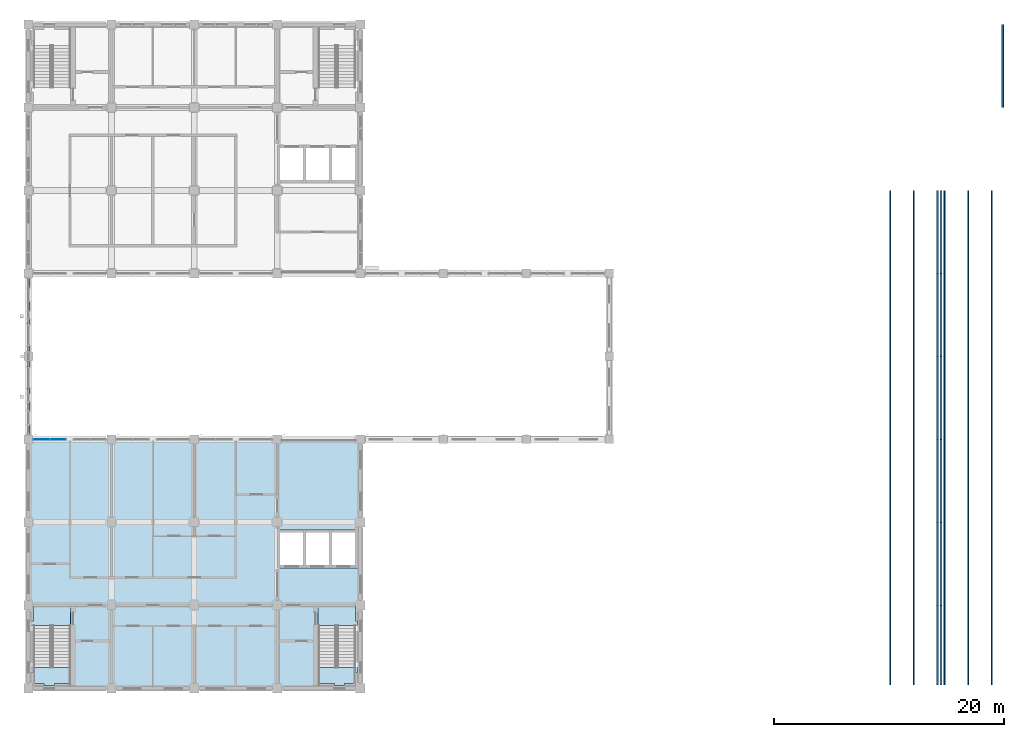
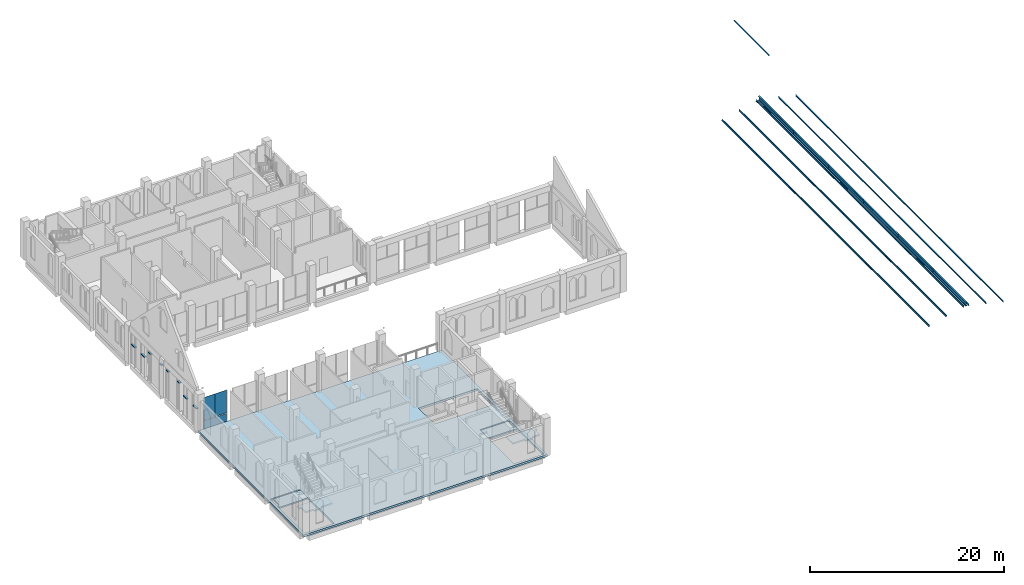
# One storey, part 15 of 31: 51 members, 5 slabs, 3 plates, 7 elements without a shape of their own.
"""IFC4 building model written with IfcOpenShell, lengths in metres."""

from ifc_helpers import new_model, si_unit, direction, frame, origin, origin_2d, place, context, subcontext, project, spatial, polyline, rectangle, hollow_rectangle, i_section, outline, extrude, material, layer, layer_set, material_profile, profile_set, type_object, element, aggregate, save


model = new_model("IFC4")

# Units and contexts
model_context = context("Model", 3, precision=1e-05, world=origin(), true_north=direction((0.0, 1.0)))
body_context = subcontext(model_context, "Body", "Model", "MODEL_VIEW")
ifc_project = project(units=[si_unit("LENGTHUNIT", "METRE"), si_unit("AREAUNIT", "SQUARE_METRE"), si_unit("VOLUMEUNIT", "CUBIC_METRE"), si_unit("PLANEANGLEUNIT", "RADIAN"), si_unit("MASSUNIT", "GRAM", prefix="KILO")], contexts=[model_context])

# Site, building, storey
site_placement = place(None, origin())
site = spatial("IfcSite", under=ifc_project, at=site_placement, CompositionType="ELEMENT")
building_placement = place(site_placement, origin())
building = spatial("IfcBuilding", under=site, at=building_placement, Name="Silangan Lancet Faculty of Sciences", CompositionType="ELEMENT")
storey_placement = place(building_placement, frame((0.0, 0.0, 36.0)))
storey = spatial("IfcBuildingStorey", under=building, at=storey_placement, Name="L07", CompositionType="ELEMENT", Elevation=36.0)

# Curtain wall, members
ifc_material_1 = material(Name="Aluminium framed curtain wall with insulated glass", Category="aluminium")
curtain_wall_type_1 = type_object("IfcCurtainWallType", Name="CW3 West stepped lancet window", PredefinedType="NOTDEFINED", material=ifc_material_1)
curtain_wall_1_placement = place(storey_placement, origin())
curtain_wall_1 = element("IfcCurtainWall", 1, at=curtain_wall_1_placement, inside=storey, type_object=curtain_wall_type_1, Name="CW3 West window L07 bay 1", PredefinedType="NOTDEFINED")
ifc_material_2 = material(Name="Aluminium 6063-T6 extrusion", Category="aluminium")
ifc_material_profile_1 = material_profile(ifc_material_2, hollow_rectangle(XDim=0.25, YDim=0.10009765625, WallThickness=0.0048828125, at=origin_2d()), Name="AL BOX 250x100x5")
ifc_profile_set_1 = profile_set([ifc_material_profile_1], Name="Aluminium 6063-T6 extrusion")
member_type_1 = type_object("IfcMemberType", Name="CT3 Transom 250x100", PredefinedType="USERDEFINED", material=ifc_profile_set_1)
member_1_placement = place(storey_placement, frame((0.0, 22.074951171875, 2.449951171875), z_axis=(0.0, 1.0, 0.0), x_axis=(-1.0, 0.0, 0.0)))
member_1 = element("IfcMember", 2, at=member_1_placement, type_object=member_type_1, Name="CW3 West window L07 bay 1 transom 1", ObjectType="TRANSOM", PredefinedType="USERDEFINED", context=body_context, shape_type="SweptSolid", body=[
    extrude(hollow_rectangle(XDim=0.25, YDim=0.10009765625, WallThickness=0.0048828125, at=origin_2d()), origin(), (0.0, 0.0, 1.0), 0.75),
])
member_2_placement = place(storey_placement, frame((0.0, 24.074951171875, 2.449951171875), z_axis=(0.0, 1.0, 0.0), x_axis=(-1.0, 0.0, 0.0)))
member_2 = element("IfcMember", 3, at=member_2_placement, type_object=member_type_1, Name="CW3 West window L07 bay 1 transom 2", ObjectType="TRANSOM", PredefinedType="USERDEFINED", context=body_context, shape_type="SweptSolid", body=[
    extrude(hollow_rectangle(XDim=0.25, YDim=0.10009765625, WallThickness=0.0048828125, at=origin_2d()), origin(), (0.0, 0.0, 1.0), 0.75),
])
aggregate(curtain_wall_1, [member_1, member_2])

ifc_material_3 = material(Name="Aluminium framed curtain wall with insulated glass", Category="aluminium")
curtain_wall_type_2 = type_object("IfcCurtainWallType", Name="CW6 West window middle bays", PredefinedType="NOTDEFINED", material=ifc_material_3)
curtain_wall_2_placement = place(storey_placement, origin())
curtain_wall_2 = element("IfcCurtainWall", 4, at=curtain_wall_2_placement, inside=storey, type_object=curtain_wall_type_2, Name="CW6 West window L07 bay 2", PredefinedType="NOTDEFINED")
member_3_placement = place(storey_placement, frame((0.0, 25.574951171875, 3.550048828125), z_axis=(0.0, 1.0, 0.0), x_axis=(-1.0, 0.0, 0.0)))
member_3 = element("IfcMember", 5, at=member_3_placement, type_object=member_type_1, Name="CW6 West window L07 bay 2 transom 1", ObjectType="TRANSOM", PredefinedType="USERDEFINED", context=body_context, shape_type="SweptSolid", body=[
    extrude(hollow_rectangle(XDim=0.25, YDim=0.10009765625, WallThickness=0.0048828125, at=origin_2d()), origin(), (0.0, 0.0, 1.0), 0.449951171875),
])
member_4_placement = place(storey_placement, frame((0.0, 27.89990234375, 3.550048828125), z_axis=(0.0, 1.0, 0.0), x_axis=(-1.0, 0.0, 0.0)))
member_4 = element("IfcMember", 6, at=member_4_placement, type_object=member_type_1, Name="CW6 West window L07 bay 2 transom 2", ObjectType="TRANSOM", PredefinedType="USERDEFINED", context=body_context, shape_type="SweptSolid", body=[
    extrude(hollow_rectangle(XDim=0.25, YDim=0.10009765625, WallThickness=0.0048828125, at=origin_2d()), origin(), (0.0, 0.0, 1.0), 0.4501953125),
])
aggregate(curtain_wall_2, [member_3, member_4])

curtain_wall_3_placement = place(storey_placement, origin())
curtain_wall_3 = element("IfcCurtainWall", 7, at=curtain_wall_3_placement, inside=storey, type_object=curtain_wall_type_2, Name="CW6 West window L07 bay 3", PredefinedType="NOTDEFINED")
member_5_placement = place(storey_placement, frame((0.0, 29.25, 3.550048828125), z_axis=(0.0, 1.0, 0.0), x_axis=(-1.0, 0.0, 0.0)))
member_5 = element("IfcMember", 8, at=member_5_placement, type_object=member_type_1, Name="CW6 West window L07 bay 3 transom 1", ObjectType="TRANSOM", PredefinedType="USERDEFINED", context=body_context, shape_type="SweptSolid", body=[
    extrude(hollow_rectangle(XDim=0.25, YDim=0.10009765625, WallThickness=0.0048828125, at=origin_2d()), origin(), (0.0, 0.0, 1.0), 0.449951171875),
])
member_6_placement = place(storey_placement, frame((0.0, 31.574951171875, 3.550048828125), z_axis=(0.0, 1.0, 0.0), x_axis=(-1.0, 0.0, 0.0)))
member_6 = element("IfcMember", 9, at=member_6_placement, type_object=member_type_1, Name="CW6 West window L07 bay 3 transom 2", ObjectType="TRANSOM", PredefinedType="USERDEFINED", context=body_context, shape_type="SweptSolid", body=[
    extrude(hollow_rectangle(XDim=0.25, YDim=0.10009765625, WallThickness=0.0048828125, at=origin_2d()), origin(), (0.0, 0.0, 1.0), 0.449951171875),
])
aggregate(curtain_wall_3, [member_5, member_6])

curtain_wall_4_placement = place(storey_placement, origin())
curtain_wall_4 = element("IfcCurtainWall", 10, at=curtain_wall_4_placement, inside=storey, type_object=curtain_wall_type_1, Name="CW3 West window L07 bay 4", PredefinedType="NOTDEFINED")
member_7_placement = place(storey_placement, frame((0.0, 32.77490234375, 2.449951171875), z_axis=(0.0, 1.0, 0.0), x_axis=(-1.0, 0.0, 0.0)))
member_7 = element("IfcMember", 11, at=member_7_placement, type_object=member_type_1, Name="CW3 West window L07 bay 4 transom 1", ObjectType="TRANSOM", PredefinedType="USERDEFINED", context=body_context, shape_type="SweptSolid", body=[
    extrude(hollow_rectangle(XDim=0.25, YDim=0.10009765625, WallThickness=0.0048828125, at=origin_2d()), origin(), (0.0, 0.0, 1.0), 0.75),
])
member_8_placement = place(storey_placement, frame((0.0, 34.77490234375, 2.449951171875), z_axis=(0.0, 1.0, 0.0), x_axis=(-1.0, 0.0, 0.0)))
member_8 = element("IfcMember", 12, at=member_8_placement, type_object=member_type_1, Name="CW3 West window L07 bay 4 transom 2", ObjectType="TRANSOM", PredefinedType="USERDEFINED", context=body_context, shape_type="SweptSolid", body=[
    extrude(hollow_rectangle(XDim=0.25, YDim=0.10009765625, WallThickness=0.0048828125, at=origin_2d()), origin(), (0.0, 0.0, 1.0), 0.75),
])
aggregate(curtain_wall_4, [member_7, member_8])

# Members
ifc_material_4 = material(Name="Steel SS400", Category="steel")
ifc_material_profile_2 = material_profile(ifc_material_4, i_section(OverallWidth=0.199951171875, OverallDepth=0.5, WebThickness=0.010009765625, FlangeThickness=0.01611328125, FilletRadius=0.02001953125, at=origin_2d()), Name="H 500x200x10x16")
ifc_profile_set_2 = profile_set([ifc_material_profile_2], Name="Steel SS400")
member_type_2 = type_object("IfcMemberType", Name="Exposed ridge beam H 500x200x10x16", PredefinedType="MEMBER", material=ifc_profile_set_2)
member_9_placement = place(storey_placement, frame((79.199951171875, 0.300048828125, 1.111328125), z_axis=(0.0, 1.0, 0.0), x_axis=(-1.0, 0.0, 0.0)))
element("IfcMember", 13, at=member_9_placement, inside=storey, type_object=member_type_2, Name="Exposed ridge beam 1", PredefinedType="MEMBER", context=body_context, shape_type="SweptSolid", body=[
    extrude(i_section(OverallWidth=0.199951171875, OverallDepth=0.5, WebThickness=0.010009765625, FlangeThickness=0.01611328125, FilletRadius=0.02001953125, at=origin_2d()), origin(), (0.0, 0.0, 1.0), 6.89990234375),
])
member_10_placement = place(storey_placement, frame((79.199951171875, 7.199951171875, 1.111328125), z_axis=(0.0, 1.0, 0.0), x_axis=(-1.0, 0.0, 0.0)))
element("IfcMember", 14, at=member_10_placement, inside=storey, type_object=member_type_2, Name="Exposed ridge beam 2", PredefinedType="MEMBER", context=body_context, shape_type="SweptSolid", body=[
    extrude(i_section(OverallWidth=0.199951171875, OverallDepth=0.5, WebThickness=0.010009765625, FlangeThickness=0.01611328125, FilletRadius=0.02001953125, at=origin_2d()), origin(), (0.0, 0.0, 1.0), 7.199951171875),
])
member_11_placement = place(storey_placement, frame((79.199951171875, 14.39990234375, 1.111328125), z_axis=(0.0, 1.0, 0.0), x_axis=(-1.0, 0.0, 0.0)))
element("IfcMember", 15, at=member_11_placement, inside=storey, type_object=member_type_2, Name="Exposed ridge beam 3", PredefinedType="MEMBER", context=body_context, shape_type="SweptSolid", body=[
    extrude(i_section(OverallWidth=0.199951171875, OverallDepth=0.5, WebThickness=0.010009765625, FlangeThickness=0.01611328125, FilletRadius=0.02001953125, at=origin_2d()), origin(), (0.0, 0.0, 1.0), 7.2001953125),
])
for number, where, z_axis, x_axis, name in (
    (16, (79.199951171875, 21.60009765625, 1.111328125), (0.0, 1.0, 0.0), (-1.0, 0.0, 0.0), "Exposed ridge beam 4"),
    (17, (79.199951171875, 28.800048828125, 1.111328125), (0.0, 1.0, 0.0), (-1.0, 0.0, 0.0), "Exposed ridge beam 5"),
    (18, (79.199951171875, 36.0, 1.111328125), (0.0, 1.0, 0.0), (-1.0, 0.0, 0.0), "Exposed ridge beam 6"),
):
    element("IfcMember", number, at=place(storey_placement, frame(where, z_axis=z_axis, x_axis=x_axis)), inside=storey, type_object=member_type_2, Name=name, PredefinedType="MEMBER", context=body_context, shape_type="SweptSolid", body=[
        extrude(i_section(OverallWidth=0.199951171875, OverallDepth=0.5, WebThickness=0.010009765625, FlangeThickness=0.01611328125, FilletRadius=0.02001953125, at=origin_2d()), origin(), (0.0, 0.0, 1.0), 7.199951171875),
    ])
ifc_material_5 = material(Name="Concrete C35/45 precast", Category="concrete")
ifc_material_profile_3 = material_profile(ifc_material_5, outline(polyline([(0.0, 0.0), (0.098876953125, -0.069091796875), (0.030029296875, -0.16748046875), (-0.030029296875, -0.16748046875), (-0.098876953125, -0.069091796875), (0.0, 0.0)])), Name="ridge rib")
ifc_profile_set_3 = profile_set([ifc_material_profile_3], Name="Concrete C35/45 precast")
member_type_3 = type_object("IfcMemberType", Name="Head-house ridge rib", PredefinedType="USERDEFINED", material=ifc_profile_set_3)
member_12_placement = place(storey_placement, frame((84.574951171875, 50.39990234375, 0.3115234375), z_axis=(0.0, 1.0, 0.0), x_axis=(-1.0, 0.0, 0.0)))
element("IfcMember", 19, at=member_12_placement, inside=storey, type_object=member_type_3, Name="Head-house EB-B ridge rib", ObjectType="RIDGE RIB", PredefinedType="USERDEFINED", context=body_context, shape_type="SweptSolid", body=[
    extrude(outline(polyline([(0.0, 0.0), (0.098876953125, -0.069091796875), (0.030029296875, -0.16748046875), (-0.030029296875, -0.16748046875), (-0.098876953125, -0.069091796875), (0.0, 0.0)])), origin(), (0.0, 0.0, 1.0), 7.2001953125),
])
ifc_material_6 = material(Name="Steel SS400", Category="steel")
ifc_material_profile_4 = material_profile(ifc_material_6, i_section(OverallWidth=0.10009765625, OverallDepth=0.199951171875, WebThickness=0.005615234375, FlangeThickness=0.008056640625, FilletRadius=0.008056640625, at=origin_2d()), Name="H 200x100x5.5x8")
ifc_profile_set_4 = profile_set([ifc_material_profile_4], Name="Steel SS400")
member_type_4 = type_object("IfcMemberType", Name="Sheeting purlin H 200x100x5.5x8", PredefinedType="PURLIN", material=ifc_profile_set_4)
for number, where, z_axis, x_axis, name in (
    (20, (74.789306640625, 0.300048828125, -0.1240234375), (0.0, 1.0, 0.0), (-0.970142502126, 0.0, 0.242535617113), "Canopy purlin 1W3"),
    (21, (76.843017578125, 0.300048828125, 0.389404296875), (0.0, 1.0, 0.0), (-0.970142502126, 0.0, 0.242535617113), "Canopy purlin 1W4"),
    (22, (78.896728515625, 0.300048828125, 0.90283203125), (0.0, 1.0, 0.0), (-0.970142502126, 0.0, 0.242535617113), "Canopy purlin 1W5"),
    (23, (83.610595703125, 0.300048828125, -0.1240234375), (0.0, 1.0, 0.0), (-0.970142502126, 0.0, -0.242535617113), "Canopy purlin 1E3"),
    (24, (81.556884765625, 0.300048828125, 0.389404296875), (0.0, 1.0, 0.0), (-0.970142502126, 0.0, -0.242535617113), "Canopy purlin 1E4"),
    (25, (79.503173828125, 0.300048828125, 0.90283203125), (0.0, 1.0, 0.0), (-0.970142502126, 0.0, -0.242535617113), "Canopy purlin 1E5"),
):
    element("IfcMember", number, at=place(storey_placement, frame(where, z_axis=z_axis, x_axis=x_axis)), inside=storey, type_object=member_type_4, Name=name, PredefinedType="PURLIN", context=body_context, shape_type="SweptSolid", body=[
        extrude(i_section(OverallWidth=0.10009765625, OverallDepth=0.199951171875, WebThickness=0.005615234375, FlangeThickness=0.008056640625, FilletRadius=0.008056640625, at=origin_2d()), origin(), (0.0, 0.0, 1.0), 6.89990234375),
    ])
for number, where, z_axis, x_axis, name in (
    (26, (74.789306640625, 7.199951171875, -0.1240234375), (0.0, 1.0, 0.0), (-0.970142502126, 0.0, 0.242535617113), "Canopy purlin 2W3"),
    (27, (76.843017578125, 7.199951171875, 0.389404296875), (0.0, 1.0, 0.0), (-0.970142502126, 0.0, 0.242535617113), "Canopy purlin 2W4"),
    (28, (78.896728515625, 7.199951171875, 0.90283203125), (0.0, 1.0, 0.0), (-0.970142502126, 0.0, 0.242535617113), "Canopy purlin 2W5"),
    (29, (83.610595703125, 7.199951171875, -0.1240234375), (0.0, 1.0, 0.0), (-0.970142502126, 0.0, -0.242535617113), "Canopy purlin 2E3"),
    (30, (81.556884765625, 7.199951171875, 0.389404296875), (0.0, 1.0, 0.0), (-0.970142502126, 0.0, -0.242535617113), "Canopy purlin 2E4"),
    (31, (79.503173828125, 7.199951171875, 0.90283203125), (0.0, 1.0, 0.0), (-0.970142502126, 0.0, -0.242535617113), "Canopy purlin 2E5"),
):
    element("IfcMember", number, at=place(storey_placement, frame(where, z_axis=z_axis, x_axis=x_axis)), inside=storey, type_object=member_type_4, Name=name, PredefinedType="PURLIN", context=body_context, shape_type="SweptSolid", body=[
        extrude(i_section(OverallWidth=0.10009765625, OverallDepth=0.199951171875, WebThickness=0.005615234375, FlangeThickness=0.008056640625, FilletRadius=0.008056640625, at=origin_2d()), origin(), (0.0, 0.0, 1.0), 7.199951171875),
    ])
for number, where, z_axis, x_axis, name in (
    (32, (74.789306640625, 14.39990234375, -0.1240234375), (0.0, 1.0, 0.0), (-0.970142502126, 0.0, 0.242535617113), "Canopy purlin 3W3"),
    (33, (76.843017578125, 14.39990234375, 0.389404296875), (0.0, 1.0, 0.0), (-0.970142502126, 0.0, 0.242535617113), "Canopy purlin 3W4"),
    (34, (78.896728515625, 14.39990234375, 0.90283203125), (0.0, 1.0, 0.0), (-0.970142502126, 0.0, 0.242535617113), "Canopy purlin 3W5"),
    (35, (83.610595703125, 14.39990234375, -0.1240234375), (0.0, 1.0, 0.0), (-0.970142502126, 0.0, -0.242535617113), "Canopy purlin 3E3"),
    (36, (81.556884765625, 14.39990234375, 0.389404296875), (0.0, 1.0, 0.0), (-0.970142502126, 0.0, -0.242535617113), "Canopy purlin 3E4"),
    (37, (79.503173828125, 14.39990234375, 0.90283203125), (0.0, 1.0, 0.0), (-0.970142502126, 0.0, -0.242535617113), "Canopy purlin 3E5"),
):
    element("IfcMember", number, at=place(storey_placement, frame(where, z_axis=z_axis, x_axis=x_axis)), inside=storey, type_object=member_type_4, Name=name, PredefinedType="PURLIN", context=body_context, shape_type="SweptSolid", body=[
        extrude(i_section(OverallWidth=0.10009765625, OverallDepth=0.199951171875, WebThickness=0.005615234375, FlangeThickness=0.008056640625, FilletRadius=0.008056640625, at=origin_2d()), origin(), (0.0, 0.0, 1.0), 7.2001953125),
    ])
for number, where, z_axis, x_axis, name in (
    (38, (74.789306640625, 21.60009765625, -0.1240234375), (0.0, 1.0, 0.0), (-0.970142502126, 0.0, 0.242535617113), "Canopy purlin 4W3"),
    (39, (76.843017578125, 21.60009765625, 0.389404296875), (0.0, 1.0, 0.0), (-0.970142502126, 0.0, 0.242535617113), "Canopy purlin 4W4"),
    (40, (78.896728515625, 21.60009765625, 0.90283203125), (0.0, 1.0, 0.0), (-0.970142502126, 0.0, 0.242535617113), "Canopy purlin 4W5"),
    (41, (83.610595703125, 21.60009765625, -0.1240234375), (0.0, 1.0, 0.0), (-0.970142502126, 0.0, -0.242535617113), "Canopy purlin 4E3"),
    (42, (81.556884765625, 21.60009765625, 0.389404296875), (0.0, 1.0, 0.0), (-0.970142502126, 0.0, -0.242535617113), "Canopy purlin 4E4"),
    (43, (79.503173828125, 21.60009765625, 0.90283203125), (0.0, 1.0, 0.0), (-0.970142502126, 0.0, -0.242535617113), "Canopy purlin 4E5"),
    (44, (74.789306640625, 28.800048828125, -0.1240234375), (0.0, 1.0, 0.0), (-0.970142502126, 0.0, 0.242535617113), "Canopy purlin 5W3"),
    (45, (76.843017578125, 28.800048828125, 0.389404296875), (0.0, 1.0, 0.0), (-0.970142502126, 0.0, 0.242535617113), "Canopy purlin 5W4"),
    (46, (78.896728515625, 28.800048828125, 0.90283203125), (0.0, 1.0, 0.0), (-0.970142502126, 0.0, 0.242535617113), "Canopy purlin 5W5"),
    (47, (83.610595703125, 28.800048828125, -0.1240234375), (0.0, 1.0, 0.0), (-0.970142502126, 0.0, -0.242535617113), "Canopy purlin 5E3"),
    (48, (81.556884765625, 28.800048828125, 0.389404296875), (0.0, 1.0, 0.0), (-0.970142502126, 0.0, -0.242535617113), "Canopy purlin 5E4"),
    (49, (79.503173828125, 28.800048828125, 0.90283203125), (0.0, 1.0, 0.0), (-0.970142502126, 0.0, -0.242535617113), "Canopy purlin 5E5"),
    (50, (74.789306640625, 36.0, -0.1240234375), (0.0, 1.0, 0.0), (-0.970142502126, 0.0, 0.242535617113), "Canopy purlin 6W3"),
    (51, (76.843017578125, 36.0, 0.389404296875), (0.0, 1.0, 0.0), (-0.970142502126, 0.0, 0.242535617113), "Canopy purlin 6W4"),
    (52, (78.896728515625, 36.0, 0.90283203125), (0.0, 1.0, 0.0), (-0.970142502126, 0.0, 0.242535617113), "Canopy purlin 6W5"),
    (53, (83.610595703125, 36.0, -0.1240234375), (0.0, 1.0, 0.0), (-0.970142502126, 0.0, -0.242535617113), "Canopy purlin 6E3"),
    (54, (81.556884765625, 36.0, 0.389404296875), (0.0, 1.0, 0.0), (-0.970142502126, 0.0, -0.242535617113), "Canopy purlin 6E4"),
    (55, (79.503173828125, 36.0, 0.90283203125), (0.0, 1.0, 0.0), (-0.970142502126, 0.0, -0.242535617113), "Canopy purlin 6E5"),
):
    element("IfcMember", number, at=place(storey_placement, frame(where, z_axis=z_axis, x_axis=x_axis)), inside=storey, type_object=member_type_4, Name=name, PredefinedType="PURLIN", context=body_context, shape_type="SweptSolid", body=[
        extrude(i_section(OverallWidth=0.10009765625, OverallDepth=0.199951171875, WebThickness=0.005615234375, FlangeThickness=0.008056640625, FilletRadius=0.008056640625, at=origin_2d()), origin(), (0.0, 0.0, 1.0), 7.199951171875),
    ])

# Curtain wall, plates
ifc_material_7 = material(Name="Aluminium framed curtain wall with insulated glass", Category="aluminium")
curtain_wall_type_3 = type_object("IfcCurtainWallType", Name="CW2 Atrium fire-resisting screen", PredefinedType="NOTDEFINED", material=ifc_material_7)
curtain_wall_5_placement = place(storey_placement, origin())
curtain_wall_5 = element("IfcCurtainWall", 56, at=curtain_wall_5_placement, inside=storey, type_object=curtain_wall_type_3, Name="CW2 Atrium south L07 bay 6", PredefinedType="NOTDEFINED")
ifc_material_8 = material(Name="Fire-resisting glass unit 40 mm, integrity E", Category="glass")
ifc_layer_1 = layer(ifc_material_8, 0.0400390625)
ifc_layer_set_1 = layer_set([ifc_layer_1], Name="Fire-resisting glass unit 40 mm, integrity E")
plate_type = type_object("IfcPlateType", Name="CP3 Panel fire-resisting glass 40", PredefinedType="CURTAIN_PANEL", material=ifc_layer_set_1)
plate_1_placement = place(storey_placement, frame((1.85009765625, 21.60009765625, 0.0), z_axis=(0.0, 0.0, 1.0), x_axis=(-1.0, 0.0, 0.0)))
plate_1 = element("IfcPlate", 57, at=plate_1_placement, type_object=plate_type, Name="CW2 Atrium south L07 bay 6 panel 1", PredefinedType="CURTAIN_PANEL", context=body_context, shape_type="SweptSolid", body=[
    extrude(rectangle(XDim=2.75, YDim=0.0400390625, at=origin_2d()), origin(), (0.0, 0.0, 1.0), 1.02490234375),
])
plate_2_placement = place(storey_placement, frame((2.556396484375, 21.60009765625, 1.099853515625), z_axis=(0.0, 0.0, 1.0), x_axis=(-1.0, 0.0, 0.0)))
plate_2 = element("IfcPlate", 58, at=plate_2_placement, type_object=plate_type, Name="CW2 Atrium south L07 bay 6 panel 2", PredefinedType="CURTAIN_PANEL", context=body_context, shape_type="SweptSolid", body=[
    extrude(rectangle(XDim=1.337646484375, YDim=0.0400390625, at=origin_2d()), origin(), (0.0, 0.0, 1.0), 2.85009765625),
])
plate_3_placement = place(storey_placement, frame((1.143798828125, 21.60009765625, 1.099853515625), z_axis=(0.0, 0.0, 1.0), x_axis=(-1.0, 0.0, 0.0)))
plate_3 = element("IfcPlate", 59, at=plate_3_placement, type_object=plate_type, Name="CW2 Atrium south L07 bay 6 panel 3", PredefinedType="CURTAIN_PANEL", context=body_context, shape_type="SweptSolid", body=[
    extrude(rectangle(XDim=1.337646484375, YDim=0.0400390625, at=origin_2d()), origin(), (0.0, 0.0, 1.0), 2.85009765625),
])
aggregate(curtain_wall_5, [plate_1, plate_2, plate_3])

# Slab
ifc_material_9 = material(Name="Concrete C35/45", Category="concrete")
ifc_layer_2 = layer(ifc_material_9, 0.25)
ifc_layer_set_2 = layer_set([ifc_layer_2], Name="Concrete C35/45")
slab_type_1 = type_object("IfcSlabType", Name="SLAB FLOOR 250", PredefinedType="FLOOR", material=ifc_layer_set_2)
slab_1_placement = place(storey_placement, frame((0.0, 0.0, -0.25)))
element("IfcSlab", 60, at=slab_1_placement, inside=storey, type_object=slab_type_1, Name="SLAB-L07-ST", PredefinedType="FLOOR", context=body_context, shape_type="SweptSolid", body=[
    extrude(outline(polyline([(-0.14990234375, -0.14990234375), (28.949951171875, -0.14990234375), (28.949951171875, 21.60009765625), (-0.14990234375, 21.60009765625), (-0.14990234375, -0.14990234375)]), holes=[polyline([(0.14990234375, 7.199951171875), (3.64990234375, 7.199951171875), (3.64990234375, 0.14990234375), (0.14990234375, 0.14990234375), (0.14990234375, 7.199951171875)]), polyline([(25.14990234375, 0.14990234375), (25.14990234375, 7.199951171875), (28.64990234375, 7.199951171875), (28.64990234375, 0.14990234375), (25.14990234375, 0.14990234375)]), polyline([(21.60009765625, 13.75), (28.60009765625, 13.75), (28.60009765625, 10.449951171875), (21.60009765625, 10.449951171875), (21.60009765625, 13.75)])]), origin(), (0.0, 0.0, 1.0), 0.25),
])

# Stair, slabs
ifc_material_10 = material(Name="Concrete C40/50", Category="concrete")
stair_type = type_object("IfcStairType", Name="TURRET STAIR 1550 TWO-FLIGHT", PredefinedType="HALF_TURN_STAIR", material=ifc_material_10)
stair_1_placement = place(storey_placement, origin())
stair_1 = element("IfcStair", 61, at=stair_1_placement, inside=storey, type_object=stair_type, Name="ST-A stair L07", PredefinedType="HALF_TURN_STAIR")
ifc_material_11 = material(Name="Concrete C40/50", Category="concrete")
ifc_layer_3 = layer(ifc_material_11, 0.179931640625)
ifc_layer_set_3 = layer_set([ifc_layer_3], Name="Concrete C40/50")
slab_type_2 = type_object("IfcSlabType", Name="TURRET STAIR LANDING RC 180", PredefinedType="LANDING", material=ifc_layer_set_3)
slab_2_placement = place(storey_placement, frame((0.0, 0.0, -0.179931640625)))
slab_2 = element("IfcSlab", 62, at=slab_2_placement, type_object=slab_type_2, Name="STR1 landing 1", PredefinedType="LANDING", context=body_context, shape_type="SweptSolid", body=[
    extrude(outline(polyline([(0.22509765625, 5.449951171875), (0.22509765625, 5.85009765625), (0.425048828125, 5.85009765625), (0.425048828125, 6.75), (0.39990234375, 6.75), (0.39990234375, 7.074951171875), (3.64990234375, 7.074951171875), (3.64990234375, 5.449951171875), (0.22509765625, 5.449951171875)])), origin(), (0.0, 0.0, 1.0), 0.179931640625),
])
slab_3_placement = place(storey_placement, frame((0.0, 0.0, 2.219970703125)))
slab_3 = element("IfcSlab", 63, at=slab_3_placement, type_object=slab_type_2, Name="STR1 landing 2", PredefinedType="LANDING", context=body_context, shape_type="SweptSolid", body=[
    extrude(outline(polyline([(0.22509765625, 1.35009765625), (0.22509765625, 1.81005859375), (3.64990234375, 1.81005859375), (3.64990234375, 0.425048828125), (2.25, 0.425048828125), (2.25, 0.22509765625), (1.35009765625, 0.22509765625), (1.35009765625, 0.425048828125), (0.425048828125, 0.425048828125), (0.425048828125, 1.35009765625), (0.22509765625, 1.35009765625)])), origin(), (0.0, 0.0, 1.0), 0.179931640625),
])
aggregate(stair_1, [slab_2, slab_3])

stair_2_placement = place(storey_placement, origin())
stair_2 = element("IfcStair", 64, at=stair_2_placement, inside=storey, type_object=stair_type, Name="ST-B stair L07", PredefinedType="HALF_TURN_STAIR")
slab_4_placement = place(storey_placement, frame((0.0, 0.0, -0.179931640625)))
slab_4 = element("IfcSlab", 65, at=slab_4_placement, type_object=slab_type_2, Name="STR2 landing 1", PredefinedType="LANDING", context=body_context, shape_type="SweptSolid", body=[
    extrude(outline(polyline([(28.375, 6.75), (28.375, 5.85009765625), (28.574951171875, 5.85009765625), (28.574951171875, 5.449951171875), (25.14990234375, 5.449951171875), (25.14990234375, 7.074951171875), (28.39990234375, 7.074951171875), (28.39990234375, 6.75), (28.375, 6.75)])), origin(), (0.0, 0.0, 1.0), 0.179931640625),
])
slab_5_placement = place(storey_placement, frame((0.0, 0.0, 2.219970703125)))
slab_5 = element("IfcSlab", 66, at=slab_5_placement, type_object=slab_type_2, Name="STR2 landing 2", PredefinedType="LANDING", context=body_context, shape_type="SweptSolid", body=[
    extrude(outline(polyline([(28.375, 0.425048828125), (27.449951171875, 0.425048828125), (27.449951171875, 0.22509765625), (26.550048828125, 0.22509765625), (26.550048828125, 0.425048828125), (25.14990234375, 0.425048828125), (25.14990234375, 1.81005859375), (28.574951171875, 1.81005859375), (28.574951171875, 1.35009765625), (28.375, 1.35009765625), (28.375, 0.425048828125)])), origin(), (0.0, 0.0, 1.0), 0.179931640625),
])
aggregate(stair_2, [slab_4, slab_5])

save(model, "model.ifc")
